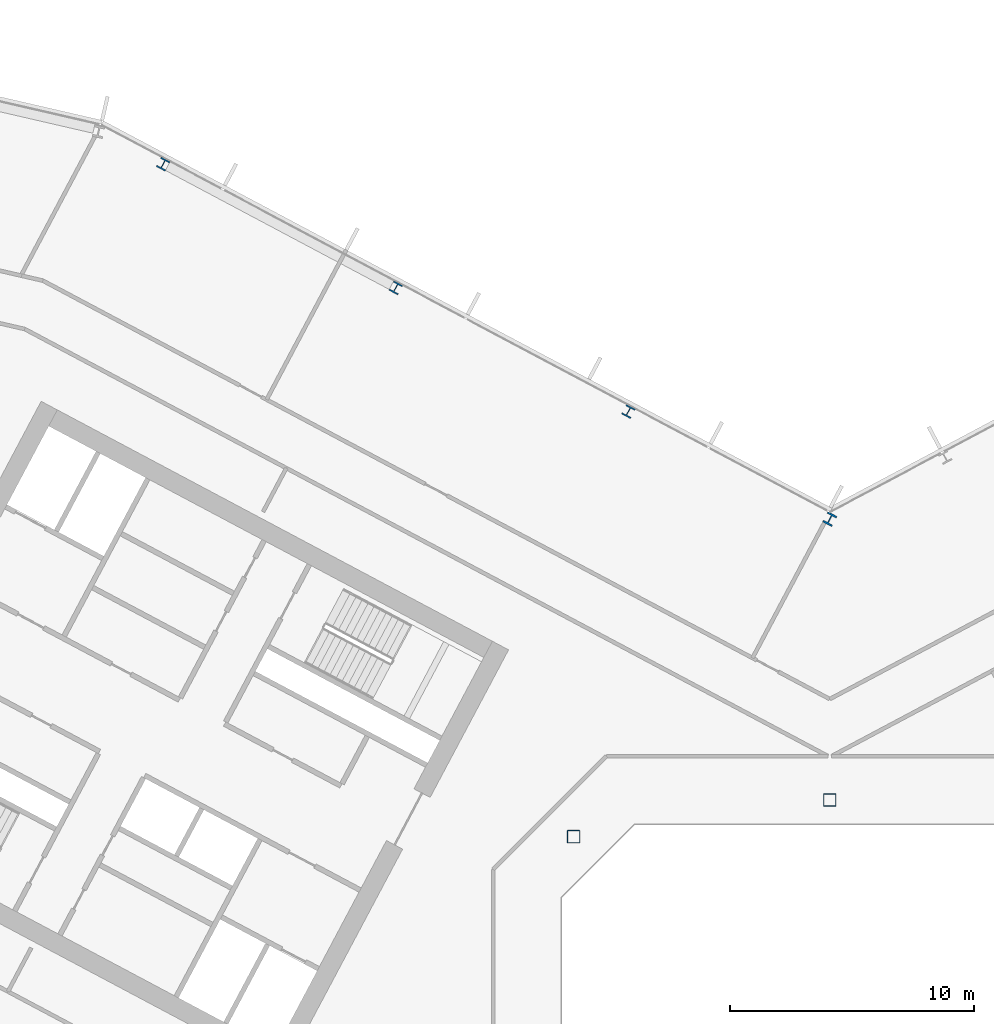
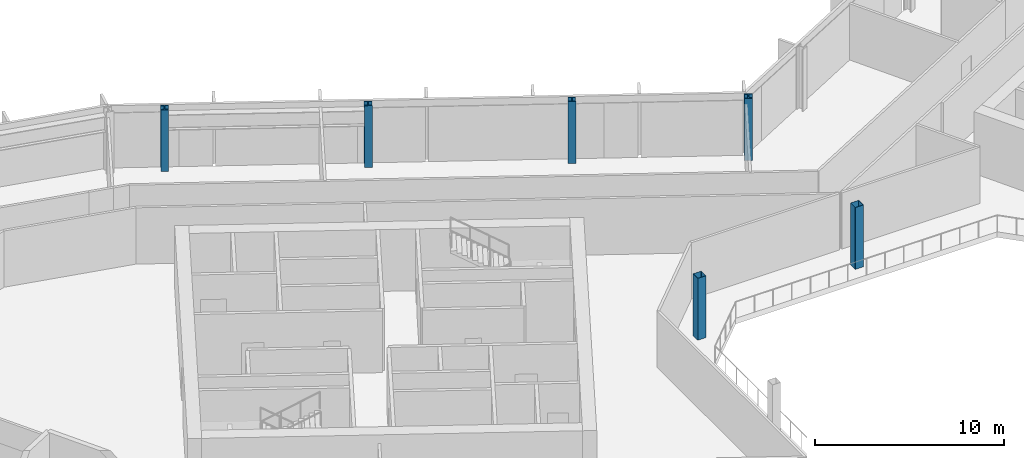
# One storey, part 4 of 28: 6 columns.
"""IFC4 building model written with IfcOpenShell, lengths in metres."""

from ifc_helpers import new_model, si_unit, direction, frame, origin, origin_2d, place, context, subcontext, project, spatial, hollow_rectangle, i_section, extrude, material, material_profile, profile_set, type_object, element, save


model = new_model("IFC4")

# Units and contexts
model_context = context("Model", 3, precision=1e-05, world=origin(), true_north=direction((0.0, 1.0)))
body_context = subcontext(model_context, "Body", "Model", "MODEL_VIEW")
ifc_project = project(units=[si_unit("LENGTHUNIT", "METRE"), si_unit("AREAUNIT", "SQUARE_METRE"), si_unit("VOLUMEUNIT", "CUBIC_METRE"), si_unit("PLANEANGLEUNIT", "RADIAN"), si_unit("MASSUNIT", "GRAM", prefix="KILO")], contexts=[model_context])

# Site, building, storey
site_placement = place(None, origin())
site = spatial("IfcSite", under=ifc_project, at=site_placement, CompositionType="ELEMENT")
building_placement = place(site_placement, origin())
building = spatial("IfcBuilding", under=site, at=building_placement, Name="Cormorant Relay Tower", CompositionType="ELEMENT")
storey_placement = place(building_placement, frame((0.0, 0.0, 130.199951171875)))
storey = spatial("IfcBuildingStorey", under=building, at=storey_placement, Name="L26", CompositionType="ELEMENT", Elevation=130.199951171875)

# Columns
ifc_material_1 = material(Name="Steel ASTM A500 Grade C (Fy 345 MPa)", Category="steel")
ifc_material_profile_1 = material_profile(ifc_material_1, hollow_rectangle(XDim=0.508056640625, YDim=0.508056640625, WallThickness=0.01171875, InnerFilletRadius=0.005859375, OuterFilletRadius=0.017822265625, at=origin_2d()), Name="HSS508x508x12")
ifc_profile_set_1 = profile_set([ifc_material_profile_1], Name="Steel ASTM A500 Grade C (Fy 345 MPa)")
column_type_1 = type_object("IfcColumnType", Name="Column HSS508x508x12", PredefinedType="COLUMN", material=ifc_profile_set_1)
for number, where, z_axis, x_axis, name in (
    (1, (-10.5, 10.5, 0.0), (0.0, 0.0, 1.0), (1.0, 0.0, 0.0), "Column L26-023"),
    (2, (0.0, 12.0, 0.0), (0.0, 0.0, 1.0), (1.0, 0.0, 0.0), "Column L26-025"),
):
    element("IfcColumn", number, at=place(storey_placement, frame(where, z_axis=z_axis, x_axis=x_axis)), inside=storey, type_object=column_type_1, Name=name, PredefinedType="COLUMN", context=body_context, shape_type="SweptSolid", body=[
        extrude(hollow_rectangle(XDim=0.508056640625, YDim=0.508056640625, WallThickness=0.01171875, InnerFilletRadius=0.005859375, OuterFilletRadius=0.017822265625, at=origin_2d()), origin(), (0.0, 0.0, 1.0), 4.0),
    ])
ifc_material_2 = material(Name="Steel ASTM A992 (Fy 345 MPa)", Category="steel")
ifc_material_profile_2 = material_profile(ifc_material_2, i_section(OverallWidth=0.41162109375, OverallDepth=0.434326171875, WebThickness=0.035888671875, FlangeThickness=0.057373046875, FilletRadius=0.01513671875, at=origin_2d()), Name="W360x463")
ifc_profile_set_2 = profile_set([ifc_material_profile_2], Name="Steel ASTM A992 (Fy 345 MPa)")
column_type_2 = type_object("IfcColumnType", Name="Column W360x463", PredefinedType="COLUMN", material=ifc_profile_set_2)
for number, where, z_axis, x_axis, name in (
    (3, (-8.257080078125, 27.925048828125, 0.0), (0.0, 0.0, 1.0), (-0.882947592859, 0.469471562786, 0.0), "Column L26-036"),
    (4, (-17.7919921875, 32.9951171875, 0.0), (0.0, 0.0, 1.0), (-0.882947592859, 0.469471562786, 0.0), "Column L26-040"),
    (5, (-27.327880859375, 38.06494140625, 0.0), (0.0, 0.0, 1.0), (-0.882947592859, 0.469471562786, 0.0), "Column L26-044"),
):
    element("IfcColumn", number, at=place(storey_placement, frame(where, z_axis=z_axis, x_axis=x_axis)), inside=storey, type_object=column_type_2, Name=name, PredefinedType="COLUMN", context=body_context, shape_type="SweptSolid", body=[
        extrude(i_section(OverallWidth=0.41162109375, OverallDepth=0.434326171875, WebThickness=0.035888671875, FlangeThickness=0.057373046875, FilletRadius=0.01513671875, at=origin_2d()), origin(), (0.0, 0.0, 1.0), 4.0),
    ])
ifc_material_3 = material(Name="Steel ASTM A992 (Fy 345 MPa)", Category="steel")
ifc_material_profile_3 = material_profile(ifc_material_3, i_section(OverallWidth=0.42431640625, OverallDepth=0.47509765625, WebThickness=0.0478515625, FlangeThickness=0.0771484375, FilletRadius=0.014892578125, at=origin_2d()), Name="W360x634")
ifc_profile_set_3 = profile_set([ifc_material_profile_3], Name="Steel ASTM A992 (Fy 345 MPa)")
column_type_3 = type_object("IfcColumnType", Name="Column W360x634", PredefinedType="COLUMN", material=ifc_profile_set_3)
column_placement = place(storey_placement, frame((0.0, 23.513916015625, 0.0), z_axis=(0.0, 0.0, 1.0), x_axis=(-0.882947592859, 0.469471562786, 0.0)))
element("IfcColumn", 6, at=column_placement, inside=storey, type_object=column_type_3, Name="Column L26-032", PredefinedType="COLUMN", context=body_context, shape_type="SweptSolid", body=[
    extrude(i_section(OverallWidth=0.42431640625, OverallDepth=0.47509765625, WebThickness=0.0478515625, FlangeThickness=0.0771484375, FilletRadius=0.014892578125, at=origin_2d()), origin(), (0.0, 0.0, 1.0), 4.0),
])

save(model, "model.ifc")
